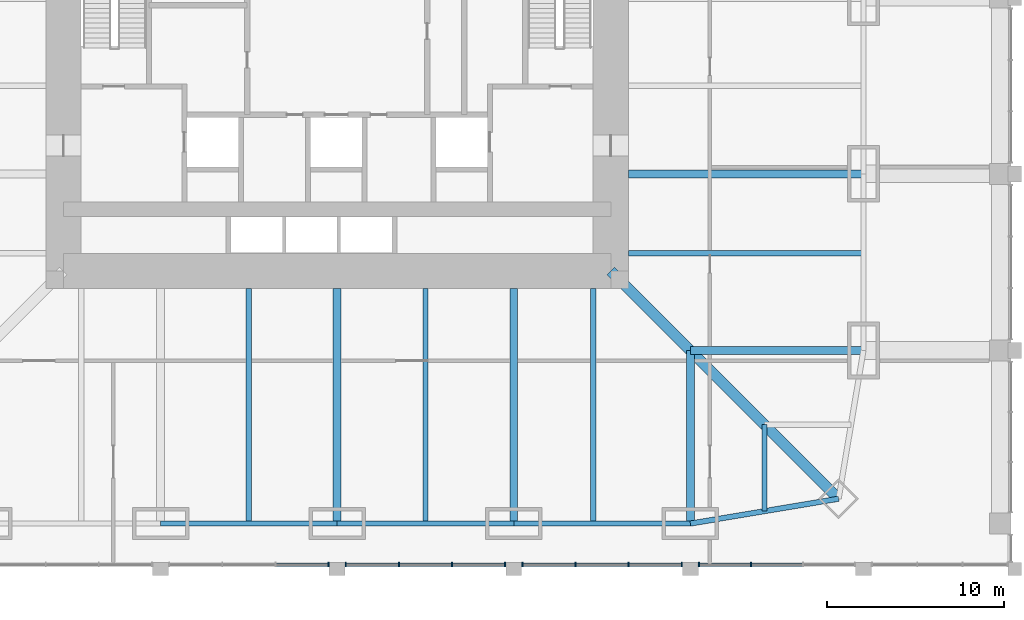
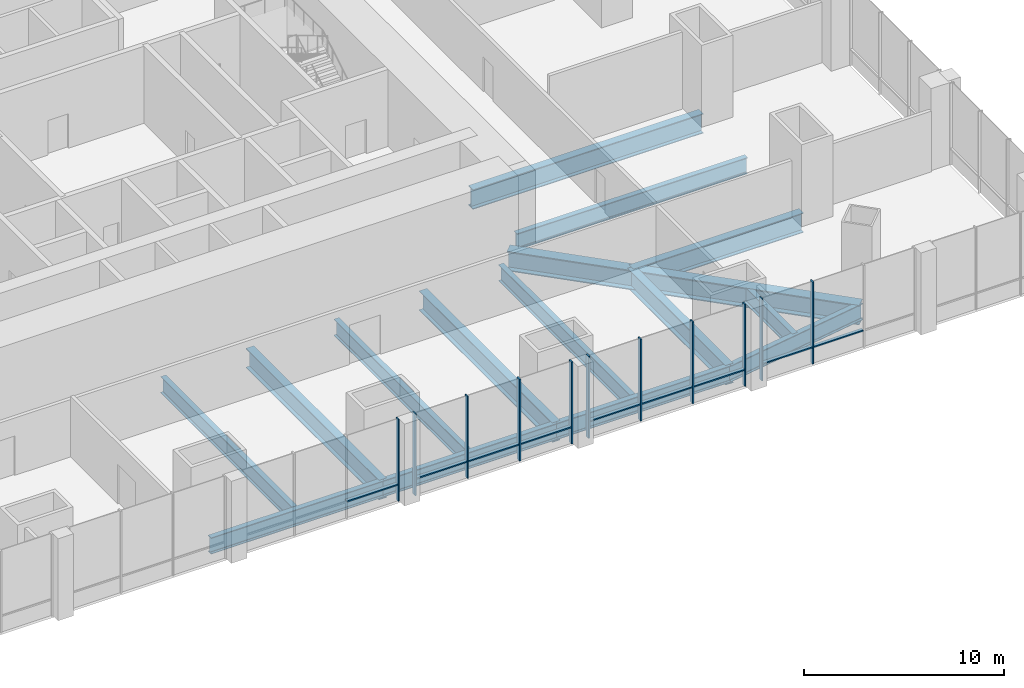
# One storey, part 4 of 24: 20 members, 15 beams, 4 elements without a shape of their own.
"""IFC4 building model written with IfcOpenShell, lengths in metres."""

from ifc_helpers import new_model, si_unit, direction, frame, origin, origin_2d, place, context, subcontext, project, spatial, rectangle, i_section, extrude, material, material_profile, profile_set, type_object, element, aggregate, save


model = new_model("IFC4")

# Units and contexts
model_context = context("Model", 3, precision=1e-05, world=origin(), true_north=direction((0.0, 1.0)))
body_context = subcontext(model_context, "Body", "Model", "MODEL_VIEW")
ifc_project = project(units=[si_unit("LENGTHUNIT", "METRE"), si_unit("AREAUNIT", "SQUARE_METRE"), si_unit("VOLUMEUNIT", "CUBIC_METRE"), si_unit("PLANEANGLEUNIT", "RADIAN"), si_unit("MASSUNIT", "GRAM", prefix="KILO")], contexts=[model_context])

# Site, building, storey
site_placement = place(None, origin())
site = spatial("IfcSite", under=ifc_project, at=site_placement, CompositionType="ELEMENT")
building_placement = place(site_placement, origin())
building = spatial("IfcBuilding", under=site, at=building_placement, Name="Khuree Lantern Residences", CompositionType="ELEMENT")
storey_placement = place(building_placement, frame((0.0, 0.0, 11.0)))
storey = spatial("IfcBuildingStorey", under=building, at=storey_placement, Name="L02", CompositionType="ELEMENT", Elevation=11.0)

# Beams
ifc_material_1 = material(Name="Steel S355", Category="steel")
ifc_material_profile_1 = material_profile(ifc_material_1, i_section(OverallWidth=0.300048828125, OverallDepth=1.0, WebThickness=0.01904296875, FlangeThickness=0.035888671875, FilletRadius=0.030029296875, at=origin_2d()), Name="HE 1000 B")
ifc_profile_set_1 = profile_set([ifc_material_profile_1], Name="Steel S355")
beam_type_1 = type_object("IfcBeamType", Name="B-02 SECONDARY BEAM HE 1000 B", PredefinedType="BEAM", material=ifc_profile_set_1)
beam_1_placement = place(storey_placement, frame((29.800048828125, -14.5, -0.800048828125), z_axis=(-1.0, 0.0, 0.0), x_axis=(0.0, -1.0, 0.0)))
element("IfcBeam", 1, at=beam_1_placement, inside=storey, type_object=beam_type_1, Name="Secondary beam E5", PredefinedType="BEAM", context=body_context, shape_type="SweptSolid", body=[
    extrude(i_section(OverallWidth=0.300048828125, OverallDepth=1.0, WebThickness=0.01904296875, FlangeThickness=0.035888671875, FilletRadius=0.030029296875, at=origin_2d()), origin(), (0.0, 0.0, 1.0), 13.300048828125),
])
beam_2_placement = place(storey_placement, frame((24.197021484375, -29.09716796875, -0.800048828125), z_axis=(0.0, 1.0, 0.0), x_axis=(-1.0, 0.0, 0.0)))
element("IfcBeam", 2, at=beam_2_placement, inside=storey, type_object=beam_type_1, Name="Secondary beam S1", PredefinedType="BEAM", context=body_context, shape_type="SweptSolid", body=[
    extrude(i_section(OverallWidth=0.300048828125, OverallDepth=1.0, WebThickness=0.01904296875, FlangeThickness=0.035888671875, FilletRadius=0.030029296875, at=origin_2d()), origin(), (0.0, 0.0, 1.0), 4.900146484375),
])
for number, where, z_axis, x_axis, name in (
    (3, (14.5, -29.800048828125, -0.800048828125), (0.0, 1.0, 0.0), (-1.0, 0.0, 0.0), "Secondary beam S2"),
    (4, (5.0, -29.800048828125, -0.800048828125), (0.0, 1.0, 0.0), (-1.0, 0.0, 0.0), "Secondary beam S3"),
    (5, (-5.0, -29.800048828125, -0.800048828125), (0.0, 1.0, 0.0), (-1.0, 0.0, 0.0), "Secondary beam S4"),
):
    element("IfcBeam", number, at=place(storey_placement, frame(where, z_axis=z_axis, x_axis=x_axis)), inside=storey, type_object=beam_type_1, Name=name, PredefinedType="BEAM", context=body_context, shape_type="SweptSolid", body=[
        extrude(i_section(OverallWidth=0.300048828125, OverallDepth=1.0, WebThickness=0.01904296875, FlangeThickness=0.035888671875, FilletRadius=0.030029296875, at=origin_2d()), origin(), (0.0, 0.0, 1.0), 13.300048828125),
    ])
ifc_material_profile_2 = material_profile(ifc_material_1, i_section(OverallWidth=0.300048828125, OverallDepth=1.0, WebThickness=0.01904296875, FlangeThickness=0.035888671875, FilletRadius=0.030029296875, at=origin_2d()), Name="HE 1000 B")
ifc_profile_set_2 = profile_set([ifc_material_profile_2], Name="Steel S355")
beam_type_2 = type_object("IfcBeamType", Name="E-02 SPANDREL BEAM HE 1000 B", PredefinedType="SPANDREL", material=ifc_profile_set_2)
beam_3_placement = place(storey_placement, frame((28.39404296875, -28.39404296875, -0.800048828125), z_axis=(-0.986260251158, -0.165199022349, 0.0), x_axis=(0.165199022349, -0.986260251158, 0.0)))
element("IfcBeam", 6, at=beam_3_placement, inside=storey, type_object=beam_type_2, Name="Spandrel beam S1", PredefinedType="SPANDREL", context=body_context, shape_type="SweptSolid", body=[
    extrude(i_section(OverallWidth=0.300048828125, OverallDepth=1.0, WebThickness=0.01904296875, FlangeThickness=0.035888671875, FilletRadius=0.030029296875, at=origin_2d()), origin(), (0.0, 0.0, 1.0), 8.510986328125),
])
for number, where, z_axis, x_axis, name in (
    (7, (20.0, -29.800048828125, -0.800048828125), (-1.0, 0.0, 0.0), (0.0, -1.0, 0.0), "Spandrel beam S2"),
    (8, (10.0, -29.800048828125, -0.800048828125), (-1.0, 0.0, 0.0), (0.0, -1.0, 0.0), "Spandrel beam S3"),
    (9, (0.0, -29.800048828125, -0.800048828125), (-1.0, 0.0, 0.0), (0.0, -1.0, 0.0), "Spandrel beam S4"),
):
    element("IfcBeam", number, at=place(storey_placement, frame(where, z_axis=z_axis, x_axis=x_axis)), inside=storey, type_object=beam_type_2, Name=name, PredefinedType="SPANDREL", context=body_context, shape_type="SweptSolid", body=[
        extrude(i_section(OverallWidth=0.300048828125, OverallDepth=1.0, WebThickness=0.01904296875, FlangeThickness=0.035888671875, FilletRadius=0.030029296875, at=origin_2d()), origin(), (0.0, 0.0, 1.0), 10.0),
    ])
ifc_material_profile_3 = material_profile(ifc_material_1, i_section(OverallWidth=0.449951171875, OverallDepth=1.199951171875, WebThickness=0.02490234375, FlangeThickness=0.044921875, at=origin_2d()), Name="WELDED I 1200X450X25X45")
ifc_profile_set_3 = profile_set([ifc_material_profile_3], Name="Steel S355")
beam_type_3 = type_object("IfcBeamType", Name="G-02 GIRDER WELDED I 1200X450X25X45", PredefinedType="BEAM", material=ifc_profile_set_3)
beam_4_placement = place(storey_placement, frame((29.800048828125, -10.0, -0.89990234375), z_axis=(-1.0, 0.0, 0.0), x_axis=(0.0, -1.0, 0.0)))
element("IfcBeam", 10, at=beam_4_placement, inside=storey, type_object=beam_type_3, Name="Girder E4", PredefinedType="BEAM", context=body_context, shape_type="SweptSolid", body=[
    extrude(i_section(OverallWidth=0.449951171875, OverallDepth=1.199951171875, WebThickness=0.02490234375, FlangeThickness=0.044921875, at=origin_2d()), origin(), (0.0, 0.0, 1.0), 13.300048828125),
])
for number, where, z_axis, x_axis, name in (
    (11, (29.800048828125, -20.0, -0.89990234375), (-1.0, 0.0, 0.0), (0.0, -1.0, 0.0), "Girder E5"),
    (12, (20.0, -29.800048828125, -0.89990234375), (0.0, 1.0, 0.0), (-1.0, 0.0, 0.0), "Girder S1"),
):
    element("IfcBeam", number, at=place(storey_placement, frame(where, z_axis=z_axis, x_axis=x_axis)), inside=storey, type_object=beam_type_3, Name=name, PredefinedType="BEAM", context=body_context, shape_type="SweptSolid", body=[
        extrude(i_section(OverallWidth=0.449951171875, OverallDepth=1.199951171875, WebThickness=0.02490234375, FlangeThickness=0.044921875, at=origin_2d()), origin(), (0.0, 0.0, 1.0), 9.800048828125),
    ])
for number, where, z_axis, x_axis, name in (
    (13, (10.0, -29.800048828125, -0.89990234375), (0.0, 1.0, 0.0), (-1.0, 0.0, 0.0), "Girder S2"),
    (14, (0.0, -29.800048828125, -0.89990234375), (0.0, 1.0, 0.0), (-1.0, 0.0, 0.0), "Girder S3"),
):
    element("IfcBeam", number, at=place(storey_placement, frame(where, z_axis=z_axis, x_axis=x_axis)), inside=storey, type_object=beam_type_3, Name=name, PredefinedType="BEAM", context=body_context, shape_type="SweptSolid", body=[
        extrude(i_section(OverallWidth=0.449951171875, OverallDepth=1.199951171875, WebThickness=0.02490234375, FlangeThickness=0.044921875, at=origin_2d()), origin(), (0.0, 0.0, 1.0), 13.300048828125),
    ])
ifc_material_profile_4 = material_profile(ifc_material_1, i_section(OverallWidth=0.60009765625, OverallDepth=1.199951171875, WebThickness=0.030029296875, FlangeThickness=0.06005859375, at=origin_2d()), Name="WELDED I 1200X600X30X60")
ifc_profile_set_4 = profile_set([ifc_material_profile_4], Name="Steel S355")
beam_type_4 = type_object("IfcBeamType", Name="GD-02 CORNER GIRDER WELDED I 1200X600X30X60", PredefinedType="BEAM", material=ifc_profile_set_4)
beam_5_placement = place(storey_placement, frame((28.39404296875, -28.39404296875, -0.89990234375), z_axis=(-0.707106781187, 0.707106781187, 0.0), x_axis=(-0.707106781187, -0.707106781187, 0.0)))
element("IfcBeam", 15, at=beam_5_placement, inside=storey, type_object=beam_type_4, Name="Corner girder SE", PredefinedType="BEAM", context=body_context, shape_type="SweptSolid", body=[
    extrude(i_section(OverallWidth=0.60009765625, OverallDepth=1.199951171875, WebThickness=0.030029296875, FlangeThickness=0.06005859375, at=origin_2d()), origin(), (0.0, 0.0, 1.0), 18.23486328125),
])

# Curtain wall, member
ifc_material_2 = material(Name="Bronze anodised aluminium", Category="aluminium")
curtain_wall_type = type_object("IfcCurtainWallType", Name="CW-P PODIUM STOREFRONT CURTAIN WALL", PredefinedType="USERDEFINED", material=ifc_material_2)
curtain_wall_1_placement = place(storey_placement, origin())
curtain_wall_1 = element("IfcCurtainWall", 16, at=curtain_wall_1_placement, inside=storey, type_object=curtain_wall_type, Name="L02 SOUTH FACE BAY 4 STOREFRONT", ObjectType="Storefront curtain wall", PredefinedType="USERDEFINED")
ifc_material_profile_5 = material_profile(ifc_material_2, rectangle(XDim=0.074951171875, YDim=0.25, at=origin_2d()), Name="M5 75X250")
ifc_profile_set_5 = profile_set([ifc_material_profile_5], Name="Bronze anodised aluminium")
member_type_1 = type_object("IfcMemberType", Name="MULLION M5 STOREFRONT 75X250", PredefinedType="MULLION", material=ifc_profile_set_5)
member_1_placement = place(storey_placement, frame((-0.487548828125, -32.125, 0.0), z_axis=(0.0, 0.0, 1.0), x_axis=(1.0, 0.0, 0.0)))
member_1 = element("IfcMember", 17, at=member_1_placement, type_object=member_type_1, Name="L02 SOUTH FACE BAY 4 MULLION 4", PredefinedType="MULLION", context=body_context, shape_type="SweptSolid", body=[
    extrude(rectangle(XDim=0.074951171875, YDim=0.25, at=origin_2d()), origin(), (0.0, 0.0, 1.0), 5.0),
])

# Curtain wall, members
curtain_wall_2_placement = place(storey_placement, origin())
curtain_wall_2 = element("IfcCurtainWall", 18, at=curtain_wall_2_placement, inside=storey, type_object=curtain_wall_type, Name="L02 SOUTH FACE BAY 5 STOREFRONT", ObjectType="Storefront curtain wall", PredefinedType="USERDEFINED")
member_2_placement = place(storey_placement, frame((0.487548828125, -32.125, 0.0), z_axis=(0.0, 0.0, 1.0), x_axis=(1.0, 0.0, 0.0)))
member_2 = element("IfcMember", 19, at=member_2_placement, type_object=member_type_1, Name="L02 SOUTH FACE BAY 5 MULLION 1", PredefinedType="MULLION", context=body_context, shape_type="SweptSolid", body=[
    extrude(rectangle(XDim=0.074951171875, YDim=0.25, at=origin_2d()), origin(), (0.0, 0.0, 1.0), 5.0),
])
member_3_placement = place(storey_placement, frame((3.495849609375, -32.125, 0.0), z_axis=(0.0, 0.0, 1.0), x_axis=(1.0, 0.0, 0.0)))
member_3 = element("IfcMember", 20, at=member_3_placement, type_object=member_type_1, Name="L02 SOUTH FACE BAY 5 MULLION 2", PredefinedType="MULLION", context=body_context, shape_type="SweptSolid", body=[
    extrude(rectangle(XDim=0.074951171875, YDim=0.25, at=origin_2d()), origin(), (0.0, 0.0, 1.0), 5.0),
])
member_4_placement = place(storey_placement, frame((6.504150390625, -32.125, 0.0), z_axis=(0.0, 0.0, 1.0), x_axis=(1.0, 0.0, 0.0)))
member_4 = element("IfcMember", 21, at=member_4_placement, type_object=member_type_1, Name="L02 SOUTH FACE BAY 5 MULLION 3", PredefinedType="MULLION", context=body_context, shape_type="SweptSolid", body=[
    extrude(rectangle(XDim=0.074951171875, YDim=0.25, at=origin_2d()), origin(), (0.0, 0.0, 1.0), 5.0),
])
member_5_placement = place(storey_placement, frame((9.512451171875, -32.125, 0.0), z_axis=(0.0, 0.0, 1.0), x_axis=(1.0, 0.0, 0.0)))
member_5 = element("IfcMember", 22, at=member_5_placement, type_object=member_type_1, Name="L02 SOUTH FACE BAY 5 MULLION 4", PredefinedType="MULLION", context=body_context, shape_type="SweptSolid", body=[
    extrude(rectangle(XDim=0.074951171875, YDim=0.25, at=origin_2d()), origin(), (0.0, 0.0, 1.0), 5.0),
])

curtain_wall_3_placement = place(storey_placement, origin())
curtain_wall_3 = element("IfcCurtainWall", 23, at=curtain_wall_3_placement, inside=storey, type_object=curtain_wall_type, Name="L02 SOUTH FACE BAY 6 STOREFRONT", ObjectType="Storefront curtain wall", PredefinedType="USERDEFINED")
member_6_placement = place(storey_placement, frame((10.487548828125, -32.125, 0.0), z_axis=(0.0, 0.0, 1.0), x_axis=(1.0, 0.0, 0.0)))
member_6 = element("IfcMember", 24, at=member_6_placement, type_object=member_type_1, Name="L02 SOUTH FACE BAY 6 MULLION 1", PredefinedType="MULLION", context=body_context, shape_type="SweptSolid", body=[
    extrude(rectangle(XDim=0.074951171875, YDim=0.25, at=origin_2d()), origin(), (0.0, 0.0, 1.0), 5.0),
])
member_7_placement = place(storey_placement, frame((13.495849609375, -32.125, 0.0), z_axis=(0.0, 0.0, 1.0), x_axis=(1.0, 0.0, 0.0)))
member_7 = element("IfcMember", 25, at=member_7_placement, type_object=member_type_1, Name="L02 SOUTH FACE BAY 6 MULLION 2", PredefinedType="MULLION", context=body_context, shape_type="SweptSolid", body=[
    extrude(rectangle(XDim=0.074951171875, YDim=0.25, at=origin_2d()), origin(), (0.0, 0.0, 1.0), 5.0),
])
member_8_placement = place(storey_placement, frame((16.504150390625, -32.125, 0.0), z_axis=(0.0, 0.0, 1.0), x_axis=(1.0, 0.0, 0.0)))
member_8 = element("IfcMember", 26, at=member_8_placement, type_object=member_type_1, Name="L02 SOUTH FACE BAY 6 MULLION 3", PredefinedType="MULLION", context=body_context, shape_type="SweptSolid", body=[
    extrude(rectangle(XDim=0.074951171875, YDim=0.25, at=origin_2d()), origin(), (0.0, 0.0, 1.0), 5.0),
])
member_9_placement = place(storey_placement, frame((19.512451171875, -32.125, 0.0), z_axis=(0.0, 0.0, 1.0), x_axis=(1.0, 0.0, 0.0)))
member_9 = element("IfcMember", 27, at=member_9_placement, type_object=member_type_1, Name="L02 SOUTH FACE BAY 6 MULLION 4", PredefinedType="MULLION", context=body_context, shape_type="SweptSolid", body=[
    extrude(rectangle(XDim=0.074951171875, YDim=0.25, at=origin_2d()), origin(), (0.0, 0.0, 1.0), 5.0),
])

curtain_wall_4_placement = place(storey_placement, origin())
curtain_wall_4 = element("IfcCurtainWall", 28, at=curtain_wall_4_placement, inside=storey, type_object=curtain_wall_type, Name="L02 SOUTH FACE BAY 7 STOREFRONT", ObjectType="Storefront curtain wall", PredefinedType="USERDEFINED")
member_10_placement = place(storey_placement, frame((20.487548828125, -32.125, 0.0), z_axis=(0.0, 0.0, 1.0), x_axis=(1.0, 0.0, 0.0)))
member_10 = element("IfcMember", 29, at=member_10_placement, type_object=member_type_1, Name="L02 SOUTH FACE BAY 7 MULLION 1", PredefinedType="MULLION", context=body_context, shape_type="SweptSolid", body=[
    extrude(rectangle(XDim=0.074951171875, YDim=0.25, at=origin_2d()), origin(), (0.0, 0.0, 1.0), 5.0),
])
member_11_placement = place(storey_placement, frame((23.42919921875, -32.125, 0.0), z_axis=(0.0, 0.0, 1.0), x_axis=(1.0, 0.0, 0.0)))
member_11 = element("IfcMember", 30, at=member_11_placement, type_object=member_type_1, Name="L02 SOUTH FACE BAY 7 MULLION 2", PredefinedType="MULLION", context=body_context, shape_type="SweptSolid", body=[
    extrude(rectangle(XDim=0.074951171875, YDim=0.25, at=origin_2d()), origin(), (0.0, 0.0, 1.0), 5.0),
])

# Member
ifc_material_profile_6 = material_profile(ifc_material_2, rectangle(XDim=0.199951171875, YDim=0.074951171875, at=origin_2d()), Name="T5 200X75")
ifc_profile_set_6 = profile_set([ifc_material_profile_6], Name="Bronze anodised aluminium")
member_type_2 = type_object("IfcMemberType", Name="TRANSOM T5 STOREFRONT 200X75", PredefinedType="USERDEFINED", material=ifc_profile_set_6)
member_12_placement = place(storey_placement, frame((-3.458251953125, -32.1201171875, 1.0), z_axis=(1.0, 0.0, 0.0), x_axis=(0.0, 1.0, 0.0)))
member_12 = element("IfcMember", 31, at=member_12_placement, type_object=member_type_2, Name="L02 SOUTH FACE BAY 4 TRANSOM 3", ObjectType="Transom", PredefinedType="USERDEFINED", context=body_context, shape_type="SweptSolid", body=[
    extrude(rectangle(XDim=0.199951171875, YDim=0.074951171875, at=origin_2d()), origin(), (0.0, 0.0, 1.0), 2.933349609375),
])

aggregate(curtain_wall_1, [member_1, member_12])

member_13_placement = place(storey_placement, frame((0.52490234375, -32.1201171875, 1.0), z_axis=(1.0, 0.0, 0.0), x_axis=(0.0, 1.0, 0.0)))
member_13 = element("IfcMember", 32, at=member_13_placement, type_object=member_type_2, Name="L02 SOUTH FACE BAY 5 TRANSOM 1", ObjectType="Transom", PredefinedType="USERDEFINED", context=body_context, shape_type="SweptSolid", body=[
    extrude(rectangle(XDim=0.199951171875, YDim=0.074951171875, at=origin_2d()), origin(), (0.0, 0.0, 1.0), 2.933349609375),
])

member_14_placement = place(storey_placement, frame((3.533447265625, -32.1201171875, 1.0), z_axis=(1.0, 0.0, 0.0), x_axis=(0.0, 1.0, 0.0)))
member_14 = element("IfcMember", 33, at=member_14_placement, type_object=member_type_2, Name="L02 SOUTH FACE BAY 5 TRANSOM 2", ObjectType="Transom", PredefinedType="USERDEFINED", context=body_context, shape_type="SweptSolid", body=[
    extrude(rectangle(XDim=0.199951171875, YDim=0.074951171875, at=origin_2d()), origin(), (0.0, 0.0, 1.0), 2.93310546875),
])

member_15_placement = place(storey_placement, frame((6.541748046875, -32.1201171875, 1.0), z_axis=(1.0, 0.0, 0.0), x_axis=(0.0, 1.0, 0.0)))
member_15 = element("IfcMember", 34, at=member_15_placement, type_object=member_type_2, Name="L02 SOUTH FACE BAY 5 TRANSOM 3", ObjectType="Transom", PredefinedType="USERDEFINED", context=body_context, shape_type="SweptSolid", body=[
    extrude(rectangle(XDim=0.199951171875, YDim=0.074951171875, at=origin_2d()), origin(), (0.0, 0.0, 1.0), 2.933349609375),
])

aggregate(curtain_wall_2, [member_2, member_3, member_4, member_5, member_13, member_14, member_15])

member_16_placement = place(storey_placement, frame((10.52490234375, -32.1201171875, 1.0), z_axis=(1.0, 0.0, 0.0), x_axis=(0.0, 1.0, 0.0)))
member_16 = element("IfcMember", 35, at=member_16_placement, type_object=member_type_2, Name="L02 SOUTH FACE BAY 6 TRANSOM 1", ObjectType="Transom", PredefinedType="USERDEFINED", context=body_context, shape_type="SweptSolid", body=[
    extrude(rectangle(XDim=0.199951171875, YDim=0.074951171875, at=origin_2d()), origin(), (0.0, 0.0, 1.0), 2.933349609375),
])

member_17_placement = place(storey_placement, frame((13.533447265625, -32.1201171875, 1.0), z_axis=(1.0, 0.0, 0.0), x_axis=(0.0, 1.0, 0.0)))
member_17 = element("IfcMember", 36, at=member_17_placement, type_object=member_type_2, Name="L02 SOUTH FACE BAY 6 TRANSOM 2", ObjectType="Transom", PredefinedType="USERDEFINED", context=body_context, shape_type="SweptSolid", body=[
    extrude(rectangle(XDim=0.199951171875, YDim=0.074951171875, at=origin_2d()), origin(), (0.0, 0.0, 1.0), 2.93310546875),
])

member_18_placement = place(storey_placement, frame((16.541748046875, -32.1201171875, 1.0), z_axis=(1.0, 0.0, 0.0), x_axis=(0.0, 1.0, 0.0)))
member_18 = element("IfcMember", 37, at=member_18_placement, type_object=member_type_2, Name="L02 SOUTH FACE BAY 6 TRANSOM 3", ObjectType="Transom", PredefinedType="USERDEFINED", context=body_context, shape_type="SweptSolid", body=[
    extrude(rectangle(XDim=0.199951171875, YDim=0.074951171875, at=origin_2d()), origin(), (0.0, 0.0, 1.0), 2.933349609375),
])

aggregate(curtain_wall_3, [member_6, member_7, member_8, member_9, member_16, member_17, member_18])

member_19_placement = place(storey_placement, frame((20.52490234375, -32.1201171875, 1.0), z_axis=(1.0, 0.0, 0.0), x_axis=(0.0, 1.0, 0.0)))
member_19 = element("IfcMember", 38, at=member_19_placement, type_object=member_type_2, Name="L02 SOUTH FACE BAY 7 TRANSOM 1", ObjectType="Transom", PredefinedType="USERDEFINED", context=body_context, shape_type="SweptSolid", body=[
    extrude(rectangle(XDim=0.199951171875, YDim=0.074951171875, at=origin_2d()), origin(), (0.0, 0.0, 1.0), 2.86669921875),
])

member_20_placement = place(storey_placement, frame((23.466552734375, -32.1201171875, 1.0), z_axis=(1.0, 0.0, 0.0), x_axis=(0.0, 1.0, 0.0)))
member_20 = element("IfcMember", 39, at=member_20_placement, type_object=member_type_2, Name="L02 SOUTH FACE BAY 7 TRANSOM 2", ObjectType="Transom", PredefinedType="USERDEFINED", context=body_context, shape_type="SweptSolid", body=[
    extrude(rectangle(XDim=0.199951171875, YDim=0.074951171875, at=origin_2d()), origin(), (0.0, 0.0, 1.0), 2.86669921875),
])

aggregate(curtain_wall_4, [member_10, member_11, member_19, member_20])

save(model, "model.ifc")
